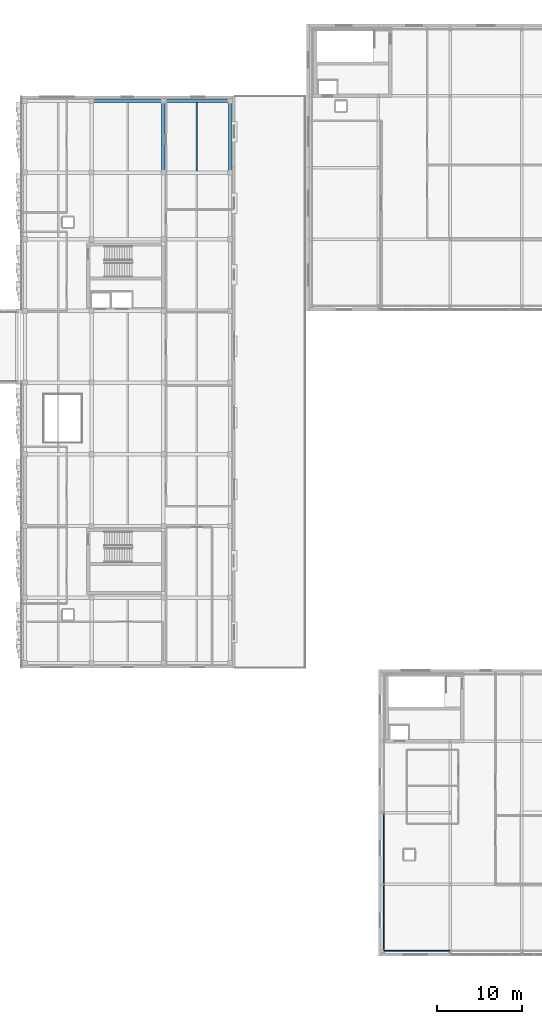
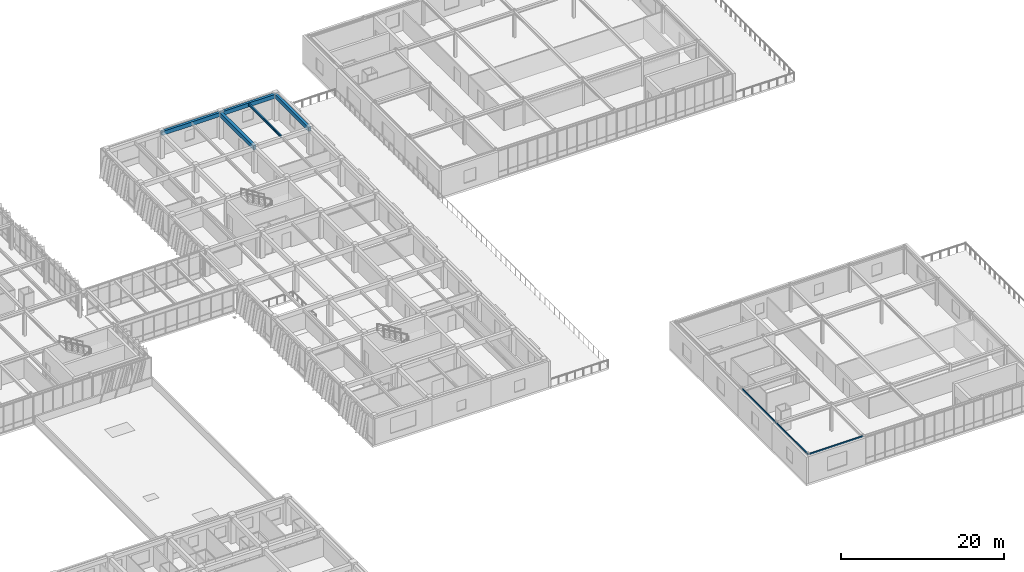
# One storey, part 73 of 127: 8 beams.
"""IFC4 building model written with IfcOpenShell, lengths in metres."""

from ifc_helpers import new_model, si_unit, direction, frame, origin, origin_2d, place, context, subcontext, project, spatial, rectangle, hollow_rectangle, i_section, extrude, material, material_profile, profile_set, type_object, element, save


model = new_model("IFC4")

# Units and contexts
model_context = context("Model", 3, precision=1e-05, world=origin(), true_north=direction((0.0, 1.0)))
body_context = subcontext(model_context, "Body", "Model", "MODEL_VIEW")
ifc_project = project(units=[si_unit("LENGTHUNIT", "METRE"), si_unit("AREAUNIT", "SQUARE_METRE"), si_unit("VOLUMEUNIT", "CUBIC_METRE"), si_unit("PLANEANGLEUNIT", "RADIAN"), si_unit("MASSUNIT", "GRAM", prefix="KILO")], contexts=[model_context])

# Site, building, storey
site_placement = place(None, origin())
site = spatial("IfcSite", under=ifc_project, at=site_placement, CompositionType="ELEMENT")
building_placement = place(site_placement, origin())
building = spatial("IfcBuilding", under=site, at=building_placement, Name="Zayran Congress Hotel", CompositionType="ELEMENT")
storey_placement = place(building_placement, frame((0.0, 0.0, 10.800048828125)))
storey = spatial("IfcBuildingStorey", under=building, at=storey_placement, Name="L02", CompositionType="ELEMENT", Elevation=10.800048828125)

# Beams
ifc_material_1 = material(Name="Concrete C40/50", Category="concrete")
ifc_material_profile_1 = material_profile(ifc_material_1, rectangle(XDim=0.39990234375, YDim=0.64990234375, at=origin_2d()), Name="RC 400x650")
ifc_profile_set_1 = profile_set([ifc_material_profile_1], Name="Concrete C40/50")
beam_type_1 = type_object("IfcBeamType", Name="TP-BM-03", PredefinedType="BEAM", material=ifc_profile_set_1)
beam_1_placement = place(storey_placement, frame((126.0, 100.60009765625, 3.594970703125), z_axis=(0.0, 1.0, 0.0), x_axis=(-1.0, 0.0, 0.0)))
element("IfcBeam", 1, at=beam_1_placement, inside=storey, type_object=beam_type_1, Name="BM-V4-L02-1460", PredefinedType="BEAM", context=body_context, shape_type="SweptSolid", body=[
    extrude(rectangle(XDim=0.39990234375, YDim=0.64990234375, at=origin_2d()), origin(), (0.0, 0.0, 1.0), 8.39990234375),
])
ifc_material_profile_2 = material_profile(ifc_material_1, rectangle(XDim=0.35009765625, YDim=0.60009765625, at=origin_2d()), Name="RC 350x600")
ifc_profile_set_2 = profile_set([ifc_material_profile_2], Name="Concrete C40/50")
beam_type_2 = type_object("IfcBeamType", Name="TP-SP-01", PredefinedType="SPANDREL", material=ifc_profile_set_2)
beam_2_placement = place(storey_placement, frame((117.60009765625, 109.0, 3.619873046875), z_axis=(1.0, 0.0, 0.0), x_axis=(0.0, 1.0, 0.0)))
element("IfcBeam", 2, at=beam_2_placement, inside=storey, type_object=beam_type_2, Name="BM-V4-L02-1437", PredefinedType="SPANDREL", context=body_context, shape_type="SweptSolid", body=[
    extrude(rectangle(XDim=0.35009765625, YDim=0.60009765625, at=origin_2d()), origin(), (0.0, 0.0, 1.0), 8.39990234375),
])
beam_3_placement = place(storey_placement, frame((126.0, 109.0, 3.619873046875), z_axis=(1.0, 0.0, 0.0), x_axis=(0.0, 1.0, 0.0)))
element("IfcBeam", 3, at=beam_3_placement, inside=storey, type_object=beam_type_2, Name="BM-V4-L02-1438", PredefinedType="SPANDREL", context=body_context, shape_type="SweptSolid", body=[
    extrude(rectangle(XDim=0.35009765625, YDim=0.60009765625, at=origin_2d()), origin(), (0.0, 0.0, 1.0), 7.800048828125),
])
beam_4_placement = place(storey_placement, frame((133.800048828125, 100.60009765625, 3.619873046875), z_axis=(0.0, 1.0, 0.0), x_axis=(-1.0, 0.0, 0.0)))
element("IfcBeam", 4, at=beam_4_placement, inside=storey, type_object=beam_type_2, Name="BM-V4-L02-1468", PredefinedType="SPANDREL", context=body_context, shape_type="SweptSolid", body=[
    extrude(rectangle(XDim=0.35009765625, YDim=0.60009765625, at=origin_2d()), origin(), (0.0, 0.0, 1.0), 8.39990234375),
])
ifc_material_2 = material(Name="Steel S355", Category="steel")
ifc_material_profile_3 = material_profile(ifc_material_2, i_section(OverallWidth=0.169921875, OverallDepth=0.360107421875, WebThickness=0.008056640625, FlangeThickness=0.0126953125, at=origin_2d()), Name="IPE 360")
ifc_profile_set_3 = profile_set([ifc_material_profile_3], Name="Steel S355")
beam_type_3 = type_object("IfcBeamType", Name="TP-JS-04", PredefinedType="JOIST", material=ifc_profile_set_3)
beam_5_placement = place(storey_placement, frame((129.89990234375, 100.800048828125, 3.739990234375), z_axis=(0.0, 1.0, 0.0), x_axis=(-1.0, 0.0, 0.0)))
element("IfcBeam", 5, at=beam_5_placement, inside=storey, type_object=beam_type_3, Name="JST-V4-L02-1490", PredefinedType="JOIST", context=body_context, shape_type="SweptSolid", body=[
    extrude(i_section(OverallWidth=0.169921875, OverallDepth=0.360107421875, WebThickness=0.008056640625, FlangeThickness=0.0126953125, at=origin_2d()), origin(), (0.0, 0.0, 1.0), 8.02490234375),
])
ifc_material_profile_4 = material_profile(ifc_material_2, hollow_rectangle(XDim=0.1201171875, YDim=0.199951171875, WallThickness=0.008056640625, at=origin_2d()), Name="RHS 200x120x8")
ifc_profile_set_4 = profile_set([ifc_material_profile_4], Name="Steel S355")
beam_type_4 = type_object("IfcBeamType", Name="TP-SP-02", PredefinedType="SPANDREL", material=ifc_profile_set_4)
for number, where, z_axis, x_axis, name in (
    (6, (151.800048828125, 9.39990234375, 3.89990234375), (1.0, 0.0, 0.0), (0.0, 1.0, 0.0), "BM-V3-L02-1174"),
    (7, (151.800048828125, 9.39990234375, 3.89990234375), (0.0, 1.0, 0.0), (-1.0, 0.0, 0.0), "BM-V3-L02-1191"),
):
    element("IfcBeam", number, at=place(storey_placement, frame(where, z_axis=z_axis, x_axis=x_axis)), inside=storey, type_object=beam_type_4, Name=name, PredefinedType="SPANDREL", context=body_context, shape_type="SweptSolid", body=[
        extrude(hollow_rectangle(XDim=0.1201171875, YDim=0.199951171875, WallThickness=0.008056640625, at=origin_2d()), origin(), (0.0, 0.0, 1.0), 7.800048828125),
    ])
beam_6_placement = place(storey_placement, frame((151.800048828125, 17.199951171875, 3.89990234375), z_axis=(0.0, 1.0, 0.0), x_axis=(-1.0, 0.0, 0.0)))
element("IfcBeam", 8, at=beam_6_placement, inside=storey, type_object=beam_type_4, Name="BM-V3-L02-1192", PredefinedType="SPANDREL", context=body_context, shape_type="SweptSolid", body=[
    extrude(hollow_rectangle(XDim=0.1201171875, YDim=0.199951171875, WallThickness=0.008056640625, at=origin_2d()), origin(), (0.0, 0.0, 1.0), 8.400146484375),
])

save(model, "model.ifc")
